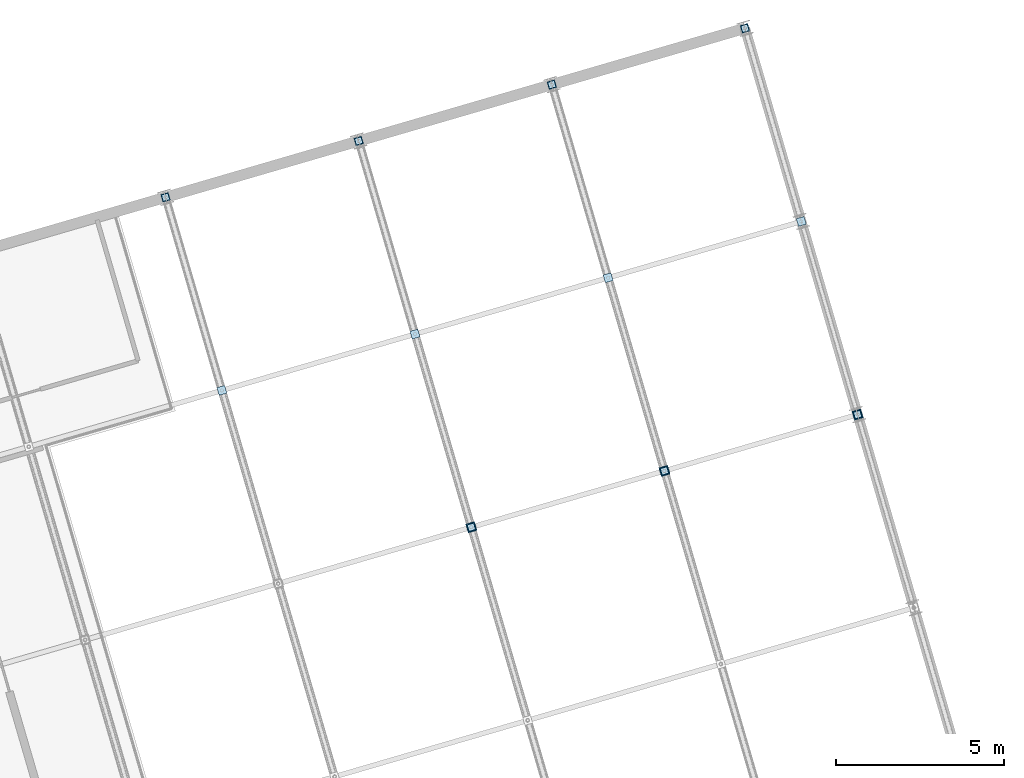
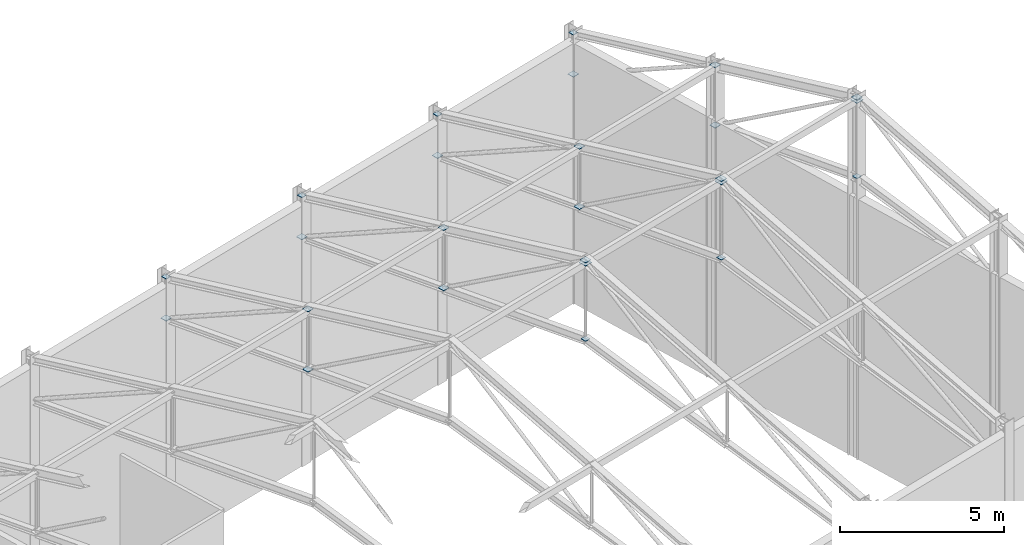
# One storey, part 221 of 248: 25 plates.
"""IFC4 building model written with IfcOpenShell, lengths in metres."""

from ifc_helpers import new_model, si_unit, direction, frame, origin, origin_2d, place, context, subcontext, project, spatial, rectangle, extrude, material, layer, layer_set, type_object, element, save


model = new_model("IFC4")

# Units and contexts
model_context = context("Model", 3, precision=1e-05, world=origin(), true_north=direction((0.0, 1.0)))
body_context = subcontext(model_context, "Body", "Model", "MODEL_VIEW")
ifc_project = project(units=[si_unit("LENGTHUNIT", "METRE"), si_unit("AREAUNIT", "SQUARE_METRE"), si_unit("VOLUMEUNIT", "CUBIC_METRE"), si_unit("PLANEANGLEUNIT", "RADIAN"), si_unit("MASSUNIT", "GRAM", prefix="KILO")], contexts=[model_context])

# Site, building, storey
site_placement = place(None, origin())
site = spatial("IfcSite", under=ifc_project, at=site_placement, CompositionType="ELEMENT")
building_placement = place(site_placement, origin())
building = spatial("IfcBuilding", under=site, at=building_placement, Name="Canggui Botanical Conservatory", CompositionType="ELEMENT")
storey_placement = place(building_placement, frame((0.0, 0.0, 5.39990234375)))
storey = spatial("IfcBuildingStorey", under=building, at=storey_placement, Name="L02", CompositionType="ELEMENT", Elevation=5.39990234375)

# Plates
ifc_material = material(Name="Steel Q355B", Category="steel")
ifc_layer = layer(ifc_material, 0.02001953125, Name="Steel Q355B", Category="steel")
ifc_layer_set = layer_set([ifc_layer], Name="Steel Q355B")
plate_type = type_object("IfcPlateType", Name="PLT-CAP-20", PredefinedType="USERDEFINED", material=ifc_layer_set)
for number, where, z_axis, x_axis, name in (
    (1, (78.239990234375, 112.320068359375, 9.39013671875), (0.0, 0.0, 1.0), (0.960000000041, 0.279999999861, 0.0), "CP-AT-04-WB3-0"),
    (2, (76.56005859375, 118.080078125, 8.39013671875), (0.0, 0.0, 1.0), (0.960000000041, 0.279999999861, 0.0), "CP-AT-04-WB4-0"),
    (3, (78.239990234375, 112.320068359375, 11.64013671875), (0.0, 0.0, 1.0), (0.960000000041, 0.279999999861, 0.0), "CP-AT-04-WB4-1"),
):
    element("IfcPlate", number, at=place(storey_placement, frame(where, z_axis=z_axis, x_axis=x_axis)), inside=storey, type_object=plate_type, Name=name, ObjectType="END CAP PLATE", PredefinedType="USERDEFINED", context=body_context, shape_type="SweptSolid", body=[
        extrude(rectangle(XDim=0.239990234375, YDim=0.239990234375, at=origin_2d()), origin(), (0.0, 0.0, 1.0), 0.02001953125),
    ])
plate_placement = place(storey_placement, frame((76.56005859375, 118.080078125, 9.940185546875), z_axis=(0.0, 0.0, 1.0), x_axis=(0.960000000041, 0.279999999861, 0.0)))
element("IfcPlate", 4, at=plate_placement, inside=storey, type_object=plate_type, Name="CP-AT-04-VT5-1", ObjectType="END CAP PLATE", PredefinedType="USERDEFINED", context=body_context, shape_type="SweptSolid", body=[
    extrude(rectangle(XDim=0.199951171875, YDim=0.199951171875, at=origin_2d()), origin(), (0.0, 0.0, 1.0), 0.02001953125),
])
for number, where, z_axis, x_axis, name in (
    (5, (85.679931640625, 108.239990234375, 13.340087890625), (0.0, 0.0, 1.0), (0.960000000041, 0.279999999861, 0.0), "CP-AT-05-WB2-1"),
    (6, (84.0, 114.0, 9.39013671875), (0.0, 0.0, 1.0), (0.960000000041, 0.279999999861, 0.0), "CP-AT-05-WB3-0"),
    (7, (82.320068359375, 119.760009765625, 8.39013671875), (0.0, 0.0, 1.0), (0.960000000041, 0.279999999861, 0.0), "CP-AT-05-WB4-0"),
    (8, (84.0, 114.0, 11.64013671875), (0.0, 0.0, 1.0), (0.960000000041, 0.279999999861, 0.0), "CP-AT-05-WB4-1"),
):
    element("IfcPlate", number, at=place(storey_placement, frame(where, z_axis=z_axis, x_axis=x_axis)), inside=storey, type_object=plate_type, Name=name, ObjectType="END CAP PLATE", PredefinedType="USERDEFINED", context=body_context, shape_type="SweptSolid", body=[
        extrude(rectangle(XDim=0.239990234375, YDim=0.239990234375, at=origin_2d()), origin(), (0.0, 0.0, 1.0), 0.02001953125),
    ])
for number, where, z_axis, x_axis, name in (
    (9, (85.679931640625, 108.239990234375, 10.39013671875), (0.0, 0.0, 1.0), (0.960000000041, 0.279999999861, 0.0), "CP-AT-05-VT3-0"),
    (10, (82.320068359375, 119.760009765625, 9.940185546875), (0.0, 0.0, 1.0), (0.960000000041, 0.279999999861, 0.0), "CP-AT-05-VT5-1"),
):
    element("IfcPlate", number, at=place(storey_placement, frame(where, z_axis=z_axis, x_axis=x_axis)), inside=storey, type_object=plate_type, Name=name, ObjectType="END CAP PLATE", PredefinedType="USERDEFINED", context=body_context, shape_type="SweptSolid", body=[
        extrude(rectangle(XDim=0.199951171875, YDim=0.199951171875, at=origin_2d()), origin(), (0.0, 0.0, 1.0), 0.02001953125),
    ])
for number, where, z_axis, x_axis, name in (
    (11, (91.43994140625, 109.919921875, 13.340087890625), (0.0, 0.0, 1.0), (0.960000000041, 0.279999999861, 0.0), "CP-AT-06-WB2-1"),
    (12, (89.760009765625, 115.679931640625, 9.39013671875), (0.0, 0.0, 1.0), (0.960000000041, 0.279999999861, 0.0), "CP-AT-06-WB3-0"),
    (13, (88.080078125, 121.43994140625, 8.39013671875), (0.0, 0.0, 1.0), (0.960000000041, 0.279999999861, 0.0), "CP-AT-06-WB4-0"),
    (14, (89.760009765625, 115.679931640625, 11.64013671875), (0.0, 0.0, 1.0), (0.960000000041, 0.279999999861, 0.0), "CP-AT-06-WB4-1"),
):
    element("IfcPlate", number, at=place(storey_placement, frame(where, z_axis=z_axis, x_axis=x_axis)), inside=storey, type_object=plate_type, Name=name, ObjectType="END CAP PLATE", PredefinedType="USERDEFINED", context=body_context, shape_type="SweptSolid", body=[
        extrude(rectangle(XDim=0.239990234375, YDim=0.239990234375, at=origin_2d()), origin(), (0.0, 0.0, 1.0), 0.02001953125),
    ])
for number, where, z_axis, x_axis, name in (
    (15, (91.43994140625, 109.919921875, 10.39013671875), (0.0, 0.0, 1.0), (0.960000000041, 0.279999999861, 0.0), "CP-AT-06-VT3-0"),
    (16, (88.080078125, 121.43994140625, 9.940185546875), (0.0, 0.0, 1.0), (0.960000000041, 0.279999999861, 0.0), "CP-AT-06-VT5-1"),
):
    element("IfcPlate", number, at=place(storey_placement, frame(where, z_axis=z_axis, x_axis=x_axis)), inside=storey, type_object=plate_type, Name=name, ObjectType="END CAP PLATE", PredefinedType="USERDEFINED", context=body_context, shape_type="SweptSolid", body=[
        extrude(rectangle(XDim=0.199951171875, YDim=0.199951171875, at=origin_2d()), origin(), (0.0, 0.0, 1.0), 0.02001953125),
    ])
for number, where, z_axis, x_axis, name in (
    (17, (97.199951171875, 111.60009765625, 13.340087890625), (0.0, 0.0, 1.0), (0.960000000041, 0.279999999861, 0.0), "CP-AT-07-WB2-1"),
    (18, (95.52001953125, 117.360107421875, 9.39013671875), (0.0, 0.0, 1.0), (0.960000000041, 0.279999999861, 0.0), "CP-AT-07-WB3-0"),
    (19, (93.840087890625, 123.1201171875, 8.39013671875), (0.0, 0.0, 1.0), (0.960000000041, 0.279999999861, 0.0), "CP-AT-07-WB4-0"),
    (20, (95.52001953125, 117.360107421875, 11.64013671875), (0.0, 0.0, 1.0), (0.960000000041, 0.279999999861, 0.0), "CP-AT-07-WB4-1"),
):
    element("IfcPlate", number, at=place(storey_placement, frame(where, z_axis=z_axis, x_axis=x_axis)), inside=storey, type_object=plate_type, Name=name, ObjectType="END CAP PLATE", PredefinedType="USERDEFINED", context=body_context, shape_type="SweptSolid", body=[
        extrude(rectangle(XDim=0.239990234375, YDim=0.239990234375, at=origin_2d()), origin(), (0.0, 0.0, 1.0), 0.02001953125),
    ])
for number, where, z_axis, x_axis, name in (
    (21, (97.199951171875, 111.60009765625, 10.39013671875), (0.0, 0.0, 1.0), (0.960000000041, 0.279999999861, 0.0), "CP-AT-07-VT3-0"),
    (22, (93.840087890625, 123.1201171875, 9.940185546875), (0.0, 0.0, 1.0), (0.960000000041, 0.279999999861, 0.0), "CP-AT-07-VT5-1"),
):
    element("IfcPlate", number, at=place(storey_placement, frame(where, z_axis=z_axis, x_axis=x_axis)), inside=storey, type_object=plate_type, Name=name, ObjectType="END CAP PLATE", PredefinedType="USERDEFINED", context=body_context, shape_type="SweptSolid", body=[
        extrude(rectangle(XDim=0.199951171875, YDim=0.199951171875, at=origin_2d()), origin(), (0.0, 0.0, 1.0), 0.02001953125),
    ])
for number, where, z_axis, x_axis, name in (
    (23, (85.679931640625, 108.239990234375, 13.239990234375), (0.0, 0.0, 1.0), (0.960000000041, 0.279999999861, 0.0), "CP-AUD-PUR-04-2-1"),
    (24, (91.43994140625, 109.919921875, 13.239990234375), (0.0, 0.0, 1.0), (0.960000000041, 0.279999999861, 0.0), "CP-AUD-PUR-05-2-1"),
    (25, (97.199951171875, 111.60009765625, 13.239990234375), (0.0, 0.0, 1.0), (0.960000000041, 0.279999999861, 0.0), "CP-AUD-PUR-06-2-1"),
):
    element("IfcPlate", number, at=place(storey_placement, frame(where, z_axis=z_axis, x_axis=x_axis)), inside=storey, type_object=plate_type, Name=name, ObjectType="END CAP PLATE", PredefinedType="USERDEFINED", context=body_context, shape_type="SweptSolid", body=[
        extrude(rectangle(XDim=0.280029296875, YDim=0.280029296875, at=origin_2d()), origin(), (0.0, 0.0, 1.0), 0.02001953125),
    ])

save(model, "model.ifc")
